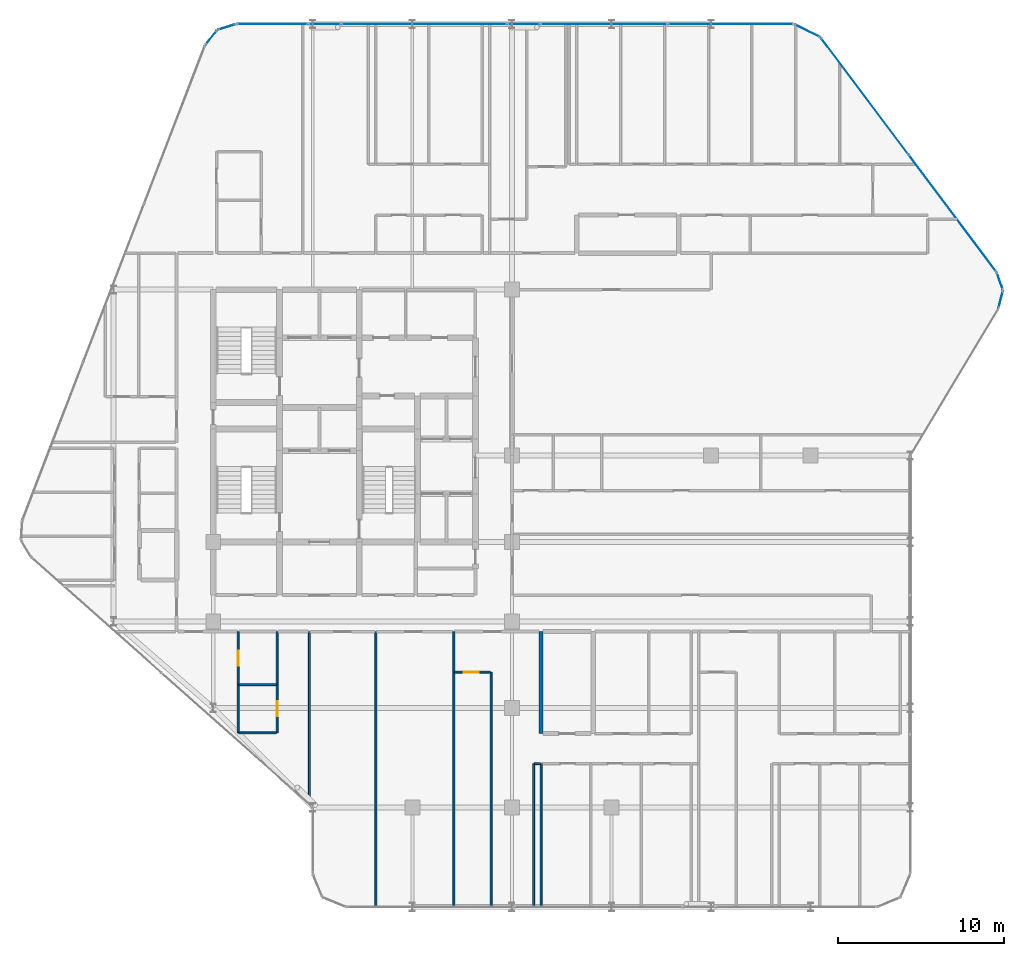
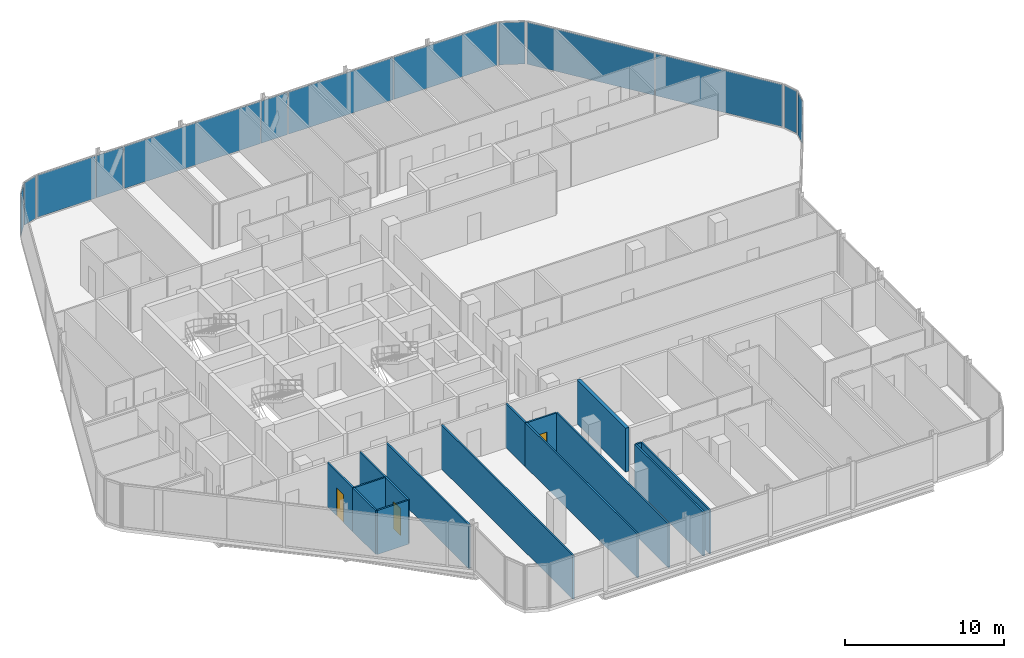
# One storey, part 24 of 32: 16 walls, 13 plates, 3 doors, 3 openings, 11 elements without a shape of their own.
"""IFC4 building model written with IfcOpenShell, lengths in metres."""

from ifc_helpers import new_model, si_unit, direction, frame, frame_2d, origin, origin_2d, place, context, subcontext, project, spatial, rectangle, extrude, material, layer, layer_set, type_object, element, fill, aggregate, save


model = new_model("IFC4")

# Units and contexts
model_context = context("Model", 3, precision=1e-05, world=origin(), true_north=direction((0.0, 1.0)))
body_context = subcontext(model_context, "Body", "Model", "MODEL_VIEW")
ifc_project = project(units=[si_unit("LENGTHUNIT", "METRE"), si_unit("AREAUNIT", "SQUARE_METRE"), si_unit("VOLUMEUNIT", "CUBIC_METRE"), si_unit("PLANEANGLEUNIT", "RADIAN"), si_unit("MASSUNIT", "GRAM", prefix="KILO")], contexts=[model_context])

# Site, building, storey
site_placement = place(None, origin())
site = spatial("IfcSite", under=ifc_project, at=site_placement, CompositionType="ELEMENT")
building_placement = place(site_placement, origin())
building = spatial("IfcBuilding", under=site, at=building_placement, Name="Keshet Zoharim Tower", CompositionType="ELEMENT")
storey_placement = place(building_placement, frame((0.0, 0.0, 137.199951171875)))
storey = spatial("IfcBuildingStorey", under=building, at=storey_placement, Name="L33", CompositionType="ELEMENT", Elevation=137.199951171875)

# Curtain wall, plate
ifc_material_1 = material(Name="Aluminium 6063-T6", Category="aluminium")
ifc_layer_1 = layer(ifc_material_1, 0.159912109375)
ifc_layer_set_1 = layer_set([ifc_layer_1], Name="Aluminium 6063-T6")
curtain_wall_type = type_object("IfcCurtainWallType", Name="CW-SYS-03", PredefinedType="NOTDEFINED", material=ifc_layer_set_1)
curtain_wall_1_placement = place(storey_placement, origin())
curtain_wall_1 = element("IfcCurtainWall", 1, at=curtain_wall_1_placement, inside=storey, type_object=curtain_wall_type, Name="L33 Unitised Curtain Wall 11", PredefinedType="NOTDEFINED")
ifc_material_2 = material(Name="Insulated Low-E Clear Glass", Category="glass")
ifc_layer_2 = layer(ifc_material_2, 0.035888671875)
ifc_layer_set_2 = layer_set([ifc_layer_2], Name="Insulated Low-E Clear Glass")
plate_type_1 = type_object("IfcPlateType", Name="CWP-01", PredefinedType="CURTAIN_PANEL", material=ifc_layer_set_2)
plate_1_placement = place(storey_placement, frame((14.8740234375, 53.08349609375, 0.070068359375), z_axis=(0.0, 0.0, 1.0), x_axis=(0.619124525989, 0.785292825205, 0.0)))
plate_1 = element("IfcPlate", 2, at=plate_1_placement, type_object=plate_type_1, Name="CW-03 panel 1.1", PredefinedType="CURTAIN_PANEL", context=body_context, shape_type="SweptSolid", body=[
    extrude(rectangle(XDim=1.045654296875, YDim=0.035888671875, at=origin_2d()), origin(), (0.0, 0.0, 1.0), 3.2451171875),
])
aggregate(curtain_wall_1, [plate_1])

curtain_wall_2_placement = place(storey_placement, origin())
curtain_wall_2 = element("IfcCurtainWall", 3, at=curtain_wall_2_placement, inside=storey, type_object=curtain_wall_type, Name="L33 Unitised Curtain Wall 12", PredefinedType="NOTDEFINED")
plate_2_placement = place(storey_placement, frame((15.8076171875, 53.724609375, 0.070068359375), z_axis=(0.0, 0.0, 1.0), x_axis=(0.955212151288, 0.295921857984, 0.0)))
plate_2 = element("IfcPlate", 4, at=plate_2_placement, type_object=plate_type_1, Name="CW-03 panel 1.1", PredefinedType="CURTAIN_PANEL", context=body_context, shape_type="SweptSolid", body=[
    extrude(rectangle(XDim=1.046142578125, YDim=0.035888671875, at=origin_2d()), origin(), (0.0, 0.0, 1.0), 3.2451171875),
])
aggregate(curtain_wall_2, [plate_2])

curtain_wall_3_placement = place(storey_placement, origin())
curtain_wall_3 = element("IfcCurtainWall", 5, at=curtain_wall_3_placement, inside=storey, type_object=curtain_wall_type, Name="L33 Unitised Curtain Wall 13", PredefinedType="NOTDEFINED")
ifc_layer_3 = layer(ifc_material_2, 0.031982421875)
ifc_layer_set_3 = layer_set([ifc_layer_3], Name="Insulated Low-E Clear Glass")
plate_type_2 = type_object("IfcPlateType", Name="CWP-02", PredefinedType="CURTAIN_PANEL", material=ifc_layer_set_3)
plate_3_placement = place(storey_placement, frame((18.56298828125, 53.89990234375, 0.070068359375), z_axis=(0.0, 0.0, 1.0), x_axis=(1.0, 0.0, 0.0)))
plate_3 = element("IfcPlate", 6, at=plate_3_placement, type_object=plate_type_2, Name="CW-03 panel 1.1", PredefinedType="CURTAIN_PANEL", context=body_context, shape_type="SweptSolid", body=[
    extrude(rectangle(XDim=4.23779296875, YDim=0.031982421875, at=origin_2d()), origin(), (0.0, 0.0, 1.0), 3.2451171875),
])
aggregate(curtain_wall_3, [plate_3])

curtain_wall_4_placement = place(storey_placement, origin())
curtain_wall_4 = element("IfcCurtainWall", 7, at=curtain_wall_4_placement, inside=storey, type_object=curtain_wall_type, Name="L33 Unitised Curtain Wall 13 Part 3", PredefinedType="NOTDEFINED")
plate_4_placement = place(storey_placement, frame((27.715087890625, 53.89990234375, 0.070068359375), z_axis=(0.0, 0.0, 1.0), x_axis=(1.0, 0.0, 0.0)))
plate_4 = element("IfcPlate", 8, at=plate_4_placement, type_object=plate_type_2, Name="CW-03 panel 1.1", PredefinedType="CURTAIN_PANEL", context=body_context, shape_type="SweptSolid", body=[
    extrude(rectangle(XDim=9.933837890625, YDim=0.031982421875, at=origin_2d()), origin(), (0.0, 0.0, 1.0), 3.2451171875),
])
aggregate(curtain_wall_4, [plate_4])

# Curtain wall, plates
curtain_wall_5_placement = place(storey_placement, origin())
curtain_wall_5 = element("IfcCurtainWall", 9, at=curtain_wall_5_placement, inside=storey, type_object=curtain_wall_type, Name="L33 Unitised Curtain Wall 13 Part 5", PredefinedType="NOTDEFINED")
plate_5_placement = place(storey_placement, frame((38.54345703125, 53.89990234375, 0.070068359375), z_axis=(0.0, 0.0, 1.0), x_axis=(1.0, 0.0, 0.0)))
plate_5 = element("IfcPlate", 10, at=plate_5_placement, type_object=plate_type_2, Name="CW-03 panel 1.1", PredefinedType="CURTAIN_PANEL", context=body_context, shape_type="SweptSolid", body=[
    extrude(rectangle(XDim=7.591064453125, YDim=0.031982421875, at=origin_2d()), origin(), (0.0, 0.0, 1.0), 3.2451171875),
])
plate_6_placement = place(storey_placement, frame((46.16943359375, 53.89990234375, 0.070068359375), z_axis=(0.0, 0.0, 1.0), x_axis=(1.0, 0.0, 0.0)))
plate_6 = element("IfcPlate", 11, at=plate_6_placement, type_object=plate_type_2, Name="CW-03 panel 2.1", PredefinedType="CURTAIN_PANEL", context=body_context, shape_type="SweptSolid", body=[
    extrude(rectangle(XDim=7.52099609375, YDim=0.031982421875, at=origin_2d()), origin(), (0.0, 0.0, 1.0), 3.2451171875),
])
aggregate(curtain_wall_5, [plate_5, plate_6])

# Curtain wall, plate
curtain_wall_6_placement = place(storey_placement, origin())
curtain_wall_6 = element("IfcCurtainWall", 12, at=curtain_wall_6_placement, inside=storey, type_object=curtain_wall_type, Name="L33 Unitised Curtain Wall 14", PredefinedType="NOTDEFINED")
plate_7_placement = place(storey_placement, frame((50.800048828125, 53.5, 0.070068359375), z_axis=(0.0, 0.0, 1.0), x_axis=(0.894427191001, -0.447213595499, 0.0)))
plate_7 = element("IfcPlate", 13, at=plate_7_placement, type_object=plate_type_2, Name="CW-03 panel 1.1", PredefinedType="CURTAIN_PANEL", context=body_context, shape_type="SweptSolid", body=[
    extrude(rectangle(XDim=1.64892578125, YDim=0.031982421875, at=origin_2d()), origin(), (0.0, 0.0, 1.0), 3.2451171875),
])
aggregate(curtain_wall_6, [plate_7])

# Curtain wall, plates
curtain_wall_7_placement = place(storey_placement, origin())
curtain_wall_7 = element("IfcCurtainWall", 14, at=curtain_wall_7_placement, inside=storey, type_object=curtain_wall_type, Name="L33 Unitised Curtain Wall 15", PredefinedType="NOTDEFINED")
plate_8_placement = place(storey_placement, frame((54.2587890625, 49.554931640625, 0.070068359375), z_axis=(0.0, 0.0, 1.0), x_axis=(0.600000000002, -0.799999999998, 0.0)))
plate_8 = element("IfcPlate", 15, at=plate_8_placement, type_object=plate_type_2, Name="CW-03 panel 1.1", PredefinedType="CURTAIN_PANEL", context=body_context, shape_type="SweptSolid", body=[
    extrude(rectangle(XDim=8.722412109375, YDim=0.031982421875, at=origin_2d()), origin(), (0.0, 0.0, 1.0), 3.2451171875),
])
plate_9_placement = place(storey_placement, frame((59.5341796875, 42.52099609375, 0.070068359375), z_axis=(0.0, 0.0, 1.0), x_axis=(0.600000000002, -0.799999999998, 0.0)))
plate_9 = element("IfcPlate", 16, at=plate_9_placement, type_object=plate_type_2, Name="CW-03 panel 2.1", PredefinedType="CURTAIN_PANEL", context=body_context, shape_type="SweptSolid", body=[
    extrude(rectangle(XDim=8.722412109375, YDim=0.031982421875, at=origin_2d()), origin(), (0.0, 0.0, 1.0), 3.2451171875),
])
aggregate(curtain_wall_7, [plate_8, plate_9])

# Curtain wall, plate
curtain_wall_8_placement = place(storey_placement, origin())
curtain_wall_8 = element("IfcCurtainWall", 17, at=curtain_wall_8_placement, inside=storey, type_object=curtain_wall_type, Name="L33 Unitised Curtain Wall 16", PredefinedType="NOTDEFINED")
plate_10_placement = place(storey_placement, frame((62.3916015625, 38.427490234375, 0.070068359375), z_axis=(0.0, 0.0, 1.0), x_axis=(0.340297354046, -0.940317877544, 0.0)))
plate_10 = element("IfcPlate", 18, at=plate_10_placement, type_object=plate_type_2, Name="CW-03 panel 1.1", PredefinedType="CURTAIN_PANEL", context=body_context, shape_type="SweptSolid", body=[
    extrude(rectangle(XDim=1.026611328125, YDim=0.031982421875, at=origin_2d()), origin(), (0.0, 0.0, 1.0), 3.2451171875),
])
aggregate(curtain_wall_8, [plate_10])

curtain_wall_9_placement = place(storey_placement, origin())
curtain_wall_9 = element("IfcCurtainWall", 19, at=curtain_wall_9_placement, inside=storey, type_object=curtain_wall_type, Name="L33 Unitised Curtain Wall 17", PredefinedType="NOTDEFINED")
plate_11_placement = place(storey_placement, frame((62.448974609375, 37.31298828125, 0.070068359375), z_axis=(0.0, 0.0, 1.0), x_axis=(-0.241728770141, -0.970343857447, 0.0)))
plate_11 = element("IfcPlate", 20, at=plate_11_placement, type_object=plate_type_2, Name="CW-03 panel 1.1", PredefinedType="CURTAIN_PANEL", context=body_context, shape_type="SweptSolid", body=[
    extrude(rectangle(XDim=1.026611328125, YDim=0.031982421875, at=origin_2d()), origin(), (0.0, 0.0, 1.0), 3.2451171875),
])
aggregate(curtain_wall_9, [plate_11])

curtain_wall_10_placement = place(storey_placement, origin())
curtain_wall_10 = element("IfcCurtainWall", 21, at=curtain_wall_10_placement, inside=storey, type_object=curtain_wall_type, Name="L33 Unitised Curtain Wall 13 Part 2", PredefinedType="NOTDEFINED")
ifc_material_3 = material(Name="Insulated Aluminium Spandrel Panel", Category="aluminium")
ifc_layer_4 = layer(ifc_material_3, 0.031982421875)
ifc_layer_set_4 = layer_set([ifc_layer_4], Name="Insulated Aluminium Spandrel Panel")
plate_type_3 = type_object("IfcPlateType", Name="CWP-05", PredefinedType="CURTAIN_PANEL", material=ifc_layer_set_4)
plate_12_placement = place(storey_placement, frame((21.715087890625, 53.89990234375, 0.070068359375), z_axis=(0.0, 0.0, 1.0), x_axis=(1.0, 0.0, 0.0)))
plate_12 = element("IfcPlate", 22, at=plate_12_placement, type_object=plate_type_3, Name="CW-03 spandrel panel 1.1", PredefinedType="CURTAIN_PANEL", context=body_context, shape_type="SweptSolid", body=[
    extrude(rectangle(XDim=1.92626953125, YDim=0.031982421875, at=origin_2d()), origin(), (0.0, 0.0, 1.0), 3.2451171875),
])
aggregate(curtain_wall_10, [plate_12])

curtain_wall_11_placement = place(storey_placement, origin())
curtain_wall_11 = element("IfcCurtainWall", 23, at=curtain_wall_11_placement, inside=storey, type_object=curtain_wall_type, Name="L33 Unitised Curtain Wall 13 Part 4", PredefinedType="NOTDEFINED")
plate_13_placement = place(storey_placement, frame((33.715087890625, 53.89990234375, 0.070068359375), z_axis=(0.0, 0.0, 1.0), x_axis=(1.0, 0.0, 0.0)))
plate_13 = element("IfcPlate", 24, at=plate_13_placement, type_object=plate_type_3, Name="CW-03 spandrel panel 1.1", PredefinedType="CURTAIN_PANEL", context=body_context, shape_type="SweptSolid", body=[
    extrude(rectangle(XDim=1.92626953125, YDim=0.031982421875, at=origin_2d()), origin(), (0.0, 0.0, 1.0), 3.2451171875),
])
aggregate(curtain_wall_11, [plate_13])

# Wall
ifc_material_4 = material(Name="Concrete C50/60", Category="concrete")
ifc_layer_5 = layer(ifc_material_4, 0.25)
ifc_layer_set_5 = layer_set([ifc_layer_5], Name="Concrete C50/60")
wall_type_1 = type_object("IfcWallType", Name="WL-MAMAD-250", PredefinedType="STANDARD", material=ifc_layer_set_5)
wall_1_placement = place(storey_placement, frame((34.75, 11.14990234375, 0.0), z_axis=(0.0, 0.0, 1.0), x_axis=(0.0, 1.0, 0.0)))
element("IfcWall", 25, at=wall_1_placement, inside=storey, type_object=wall_type_1, Name="L33 Interior Wall 079", PredefinedType="STANDARD", context=body_context, shape_type="SweptSolid", body=[
    extrude(rectangle(XDim=6.150146484375, YDim=0.25, at=frame_2d((3.0751953125, 0.0))), origin(), (0.0, 0.0, 1.0), 3.385009765625),
])

# Wall, opening, door
ifc_material_5 = material(Name="Gypsum Plasterboard", Category="gypsum")
ifc_layer_6 = layer(ifc_material_5, 0.1201171875)
ifc_layer_set_6 = layer_set([ifc_layer_6], Name="Gypsum Plasterboard")
wall_type_2 = type_object("IfcWallType", Name="WL-PART-120", PredefinedType="PARTITIONING", material=ifc_layer_set_6)
wall_2_placement = place(storey_placement, frame((16.5, 14.10009765625, 0.0), z_axis=(0.0, 0.0, 1.0), x_axis=(0.0, 1.0, 0.0)))
wall_2 = element("IfcWall", 26, at=wall_2_placement, inside=storey, type_object=wall_type_2, Name="L33 Interior Wall 020", PredefinedType="PARTITIONING", context=body_context, shape_type="SweptSolid", body=[
    extrude(rectangle(XDim=3.199951171875, YDim=0.1201171875, at=frame_2d((1.60009765625, 0.0))), origin(), (0.0, 0.0, 1.0), 3.385009765625),
])
opening_1_placement = place(wall_2_placement, frame((1.14990234375, 0.0, 0.0)))
opening_1 = element("IfcOpeningElement", 27, at=opening_1_placement, cuts=wall_2, Name="Opening D-IN90", PredefinedType="OPENING", context=body_context, shape_type="SweptSolid", body=[
    extrude(rectangle(XDim=0.89990234375, YDim=2.14990234375, at=frame_2d((0.449951171875, 1.074951171875))), frame((0.0, 0.070068359375, 0.0), z_axis=(0.0, -1.0, 0.0), x_axis=(1.0, 0.0, 0.0)), (0.0, 0.0, 1.0), 0.14013671875),
])
ifc_material_6 = material(Name="Hardwood Timber", Category="wood")
door_type_1 = type_object("IfcDoorType", Name="DR-INT-090", OperationType="NOTDEFINED", PredefinedType="DOOR", material=ifc_material_6)
door_1_placement = place(opening_1_placement, origin())
door_1 = element("IfcDoor", 28, at=door_1_placement, inside=storey, type_object=door_type_1, Name="Apartment 3301 Kitchenette Door", OperationType="SINGLE_SWING_RIGHT", OverallHeight=2.14990234375, OverallWidth=0.89990234375, PredefinedType="DOOR", context=body_context, shape_type="SweptSolid", body=[
    extrude(rectangle(XDim=0.89990234375, YDim=2.14990234375, at=frame_2d((0.449951171875, 1.074951171875))), frame((0.0, 0.02490234375, 0.0), z_axis=(0.0, -1.0, 0.0), x_axis=(1.0, 0.0, 0.0)), (0.0, 0.0, 1.0), 0.050048828125),
])
fill(opening_1, door_1)

# Walls
wall_3_placement = place(storey_placement, frame((18.85009765625, 14.10009765625, 0.0), z_axis=(0.0, 0.0, 1.0), x_axis=(0.0, 1.0, 0.0)))
element("IfcWall", 29, at=wall_3_placement, inside=storey, type_object=wall_type_2, Name="L33 Interior Wall 024", PredefinedType="PARTITIONING", context=body_context, shape_type="SweptSolid", body=[
    extrude(rectangle(XDim=3.199951171875, YDim=0.1201171875, at=frame_2d((1.60009765625, 0.0))), origin(), (0.0, 0.0, 1.0), 3.385009765625),
])
wall_4_placement = place(storey_placement, frame((20.800048828125, 6.887939453125, 0.0), z_axis=(0.0, 0.0, 1.0), x_axis=(0.0, 1.0, 0.0)))
element("IfcWall", 30, at=wall_4_placement, inside=storey, type_object=wall_type_2, Name="L33 Interior Wall 031", PredefinedType="PARTITIONING", context=body_context, shape_type="SweptSolid", body=[
    extrude(rectangle(XDim=10.412109375, YDim=0.1201171875, at=frame_2d((5.2060546875, 0.0))), origin(), (0.0, 0.0, 1.0), 3.385009765625),
])
wall_5_placement = place(storey_placement, frame((24.800048828125, 0.7099609375, 0.0), z_axis=(0.0, 0.0, 1.0), x_axis=(0.0, 1.0, 0.0)))
element("IfcWall", 31, at=wall_5_placement, inside=storey, type_object=wall_type_2, Name="L33 Interior Wall 042", PredefinedType="PARTITIONING", context=body_context, shape_type="SweptSolid", body=[
    extrude(rectangle(XDim=16.590087890625, YDim=0.1201171875, at=frame_2d((8.294921875, 0.0))), origin(), (0.0, 0.0, 1.0), 3.385009765625),
])
wall_6_placement = place(storey_placement, frame((29.5, 0.7099609375, 0.0), z_axis=(0.0, 0.0, 1.0), x_axis=(0.0, 1.0, 0.0)))
element("IfcWall", 32, at=wall_6_placement, inside=storey, type_object=wall_type_2, Name="L33 Interior Wall 056", PredefinedType="PARTITIONING", context=body_context, shape_type="SweptSolid", body=[
    extrude(rectangle(XDim=14.14013671875, YDim=0.1201171875, at=frame_2d((7.070068359375, 0.0))), origin(), (0.0, 0.0, 1.0), 3.385009765625),
])
wall_7_placement = place(storey_placement, frame((29.5, 14.85009765625, 0.0), z_axis=(0.0, 0.0, 1.0), x_axis=(0.0, 1.0, 0.0)))
element("IfcWall", 33, at=wall_7_placement, inside=storey, type_object=wall_type_2, Name="L33 Interior Wall 057", PredefinedType="PARTITIONING", context=body_context, shape_type="SweptSolid", body=[
    extrude(rectangle(XDim=2.449951171875, YDim=0.1201171875, at=frame_2d((1.22509765625, 0.0))), origin(), (0.0, 0.0, 1.0), 3.385009765625),
])
wall_8_placement = place(storey_placement, frame((31.75, 0.7099609375, 0.0), z_axis=(0.0, 0.0, 1.0), x_axis=(0.0, 1.0, 0.0)))
element("IfcWall", 34, at=wall_8_placement, inside=storey, type_object=wall_type_2, Name="L33 Interior Wall 070", PredefinedType="PARTITIONING", context=body_context, shape_type="SweptSolid", body=[
    extrude(rectangle(XDim=14.14013671875, YDim=0.1201171875, at=frame_2d((7.070068359375, 0.0))), origin(), (0.0, 0.0, 1.0), 3.385009765625),
])
for number, where, z_axis, x_axis, name in (
    (35, (34.300048828125, 0.7099609375, 0.0), (0.0, 0.0, 1.0), (0.0, 1.0, 0.0), "L33 Interior Wall 077"),
    (36, (34.75, 0.7099609375, 0.0), (0.0, 0.0, 1.0), (0.0, 1.0, 0.0), "L33 Interior Wall 078"),
):
    element("IfcWall", number, at=place(storey_placement, frame(where, z_axis=z_axis, x_axis=x_axis)), inside=storey, type_object=wall_type_2, Name=name, PredefinedType="PARTITIONING", context=body_context, shape_type="SweptSolid", body=[
        extrude(rectangle(XDim=8.64013671875, YDim=0.1201171875, at=frame_2d((4.320068359375, 0.0))), origin(), (0.0, 0.0, 1.0), 3.385009765625),
    ])
wall_9_placement = place(storey_placement, frame((34.344970703125, 9.35009765625, 0.0), z_axis=(0.0, 0.0, 1.0), x_axis=(1.0, 0.0, 0.0)))
element("IfcWall", 37, at=wall_9_placement, inside=storey, type_object=wall_type_2, Name="L33 Interior Wall 116", PredefinedType="PARTITIONING", context=body_context, shape_type="SweptSolid", body=[
    extrude(rectangle(XDim=0.360107421875, YDim=0.1201171875, at=frame_2d((0.18017578125, 0.0))), origin(), (0.0, 0.0, 1.0), 3.385009765625),
])

# Wall, opening, door
wall_10_placement = place(storey_placement, frame((29.544921875, 14.85009765625, 0.0), z_axis=(0.0, 0.0, 1.0), x_axis=(1.0, 0.0, 0.0)))
wall_10 = element("IfcWall", 38, at=wall_10_placement, inside=storey, type_object=wall_type_2, Name="L33 Interior Wall 128", PredefinedType="PARTITIONING", context=body_context, shape_type="SweptSolid", body=[
    extrude(rectangle(XDim=2.16015625, YDim=0.1201171875, at=frame_2d((1.080078125, 0.0))), origin(), (0.0, 0.0, 1.0), 3.385009765625),
])
opening_2_placement = place(wall_10_placement, frame((0.552978515625, 0.0, 0.0)))
opening_2 = element("IfcOpeningElement", 39, at=opening_2_placement, cuts=wall_10, Name="Opening D-IN90", PredefinedType="OPENING", context=body_context, shape_type="SweptSolid", body=[
    extrude(rectangle(XDim=0.89990234375, YDim=2.14990234375, at=frame_2d((0.449951171875, 1.074951171875))), frame((0.0, 0.070068359375, 0.0), z_axis=(0.0, -1.0, 0.0), x_axis=(1.0, 0.0, 0.0)), (0.0, 0.0, 1.0), 0.14013671875),
])
door_2_placement = place(opening_2_placement, origin())
door_2 = element("IfcDoor", 40, at=door_2_placement, inside=storey, type_object=door_type_1, Name="Apartment 3302 Formal Dining Room Door", OperationType="SINGLE_SWING_LEFT", OverallHeight=2.14990234375, OverallWidth=0.89990234375, PredefinedType="DOOR", context=body_context, shape_type="SweptSolid", body=[
    extrude(rectangle(XDim=0.89990234375, YDim=2.14990234375, at=frame_2d((0.449951171875, 1.074951171875))), frame((0.0, 0.02490234375, 0.0), z_axis=(0.0, -1.0, 0.0), x_axis=(1.0, 0.0, 0.0)), (0.0, 0.0, 1.0), 0.050048828125),
])
fill(opening_2, door_2)

# Wall
ifc_layer_7 = layer(ifc_material_5, 0.1201171875)
ifc_layer_set_7 = layer_set([ifc_layer_7], Name="Gypsum Plasterboard")
wall_type_3 = type_object("IfcWallType", Name="WL-WET-120", PredefinedType="PARTITIONING", material=ifc_layer_set_7)
wall_11_placement = place(storey_placement, frame((16.5, 11.199951171875, 0.0), z_axis=(0.0, 0.0, 1.0), x_axis=(0.0, 1.0, 0.0)))
element("IfcWall", 41, at=wall_11_placement, inside=storey, type_object=wall_type_3, Name="L33 Interior Wall 019", PredefinedType="PARTITIONING", context=body_context, shape_type="SweptSolid", body=[
    extrude(rectangle(XDim=2.900146484375, YDim=0.1201171875, at=frame_2d((1.4501953125, 0.0))), origin(), (0.0, 0.0, 1.0), 3.385009765625),
])

# Wall, opening, door
wall_12_placement = place(storey_placement, frame((18.85009765625, 11.199951171875, 0.0), z_axis=(0.0, 0.0, 1.0), x_axis=(0.0, 1.0, 0.0)))
wall_12 = element("IfcWall", 42, at=wall_12_placement, inside=storey, type_object=wall_type_3, Name="L33 Interior Wall 023", PredefinedType="PARTITIONING", context=body_context, shape_type="SweptSolid", body=[
    extrude(rectangle(XDim=2.900146484375, YDim=0.1201171875, at=frame_2d((1.4501953125, 0.0))), origin(), (0.0, 0.0, 1.0), 3.385009765625),
])
opening_3_placement = place(wall_12_placement, frame((1.0, 0.0, 0.0)))
opening_3 = element("IfcOpeningElement", 43, at=opening_3_placement, cuts=wall_12, Name="Opening D-WT90", PredefinedType="OPENING", context=body_context, shape_type="SweptSolid", body=[
    extrude(rectangle(XDim=0.89990234375, YDim=2.10009765625, at=frame_2d((0.449951171875, 1.050048828125))), frame((0.0, 0.070068359375, 0.0), z_axis=(0.0, -1.0, 0.0), x_axis=(1.0, 0.0, 0.0)), (0.0, 0.0, 1.0), 0.14013671875),
])
door_type_2 = type_object("IfcDoorType", Name="DR-WET-090", OperationType="NOTDEFINED", PredefinedType="DOOR", material=ifc_material_6)
door_3_placement = place(opening_3_placement, origin())
door_3 = element("IfcDoor", 44, at=door_3_placement, inside=storey, type_object=door_type_2, Name="Apartment 3301 Bathroom Door", OperationType="SINGLE_SWING_RIGHT", OverallHeight=2.10009765625, OverallWidth=0.89990234375, PredefinedType="DOOR", context=body_context, shape_type="SweptSolid", body=[
    extrude(rectangle(XDim=0.89990234375, YDim=2.10009765625, at=frame_2d((0.449951171875, 1.050048828125))), frame((0.0, 0.02490234375, 0.0), z_axis=(0.0, -1.0, 0.0), x_axis=(1.0, 0.0, 0.0)), (0.0, 0.0, 1.0), 0.050048828125),
])
fill(opening_3, door_3)

# Walls
for number, where, z_axis, x_axis, name in (
    (45, (16.544921875, 11.199951171875, 0.0), (0.0, 0.0, 1.0), (1.0, 0.0, 0.0), "L33 Interior Wall 126"),
    (46, (16.544921875, 14.10009765625, 0.0), (0.0, 0.0, 1.0), (1.0, 0.0, 0.0), "L33 Interior Wall 127"),
):
    element("IfcWall", number, at=place(storey_placement, frame(where, z_axis=z_axis, x_axis=x_axis)), inside=storey, type_object=wall_type_3, Name=name, PredefinedType="PARTITIONING", context=body_context, shape_type="SweptSolid", body=[
        extrude(rectangle(XDim=2.260009765625, YDim=0.1201171875, at=frame_2d((1.1298828125, 0.0))), origin(), (0.0, 0.0, 1.0), 3.385009765625),
    ])

save(model, "model.ifc")
